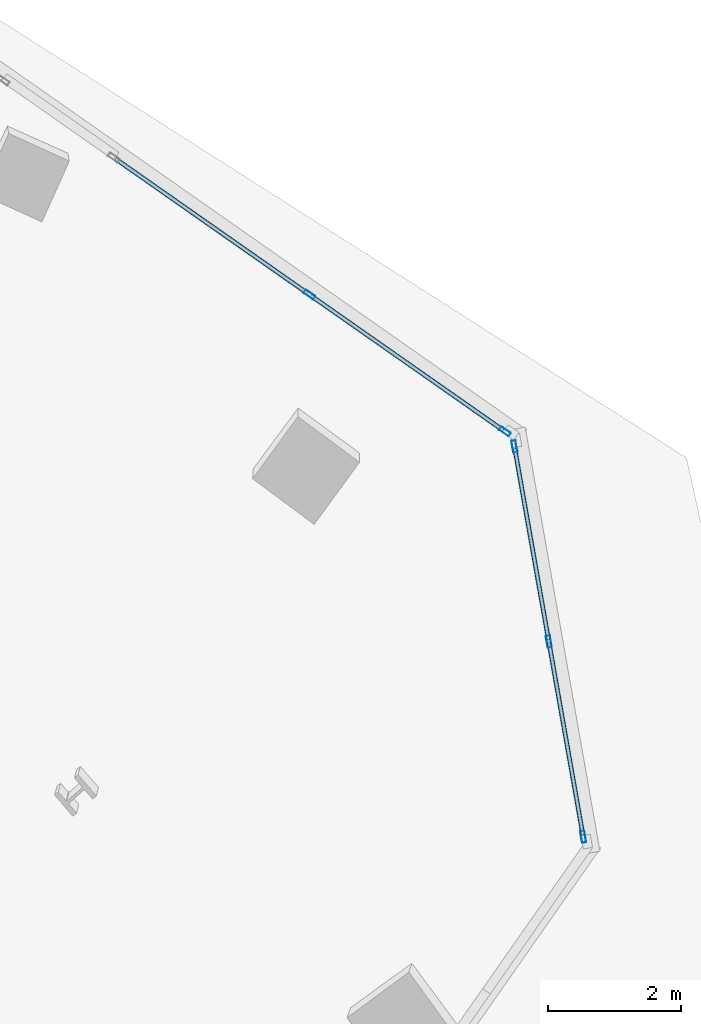
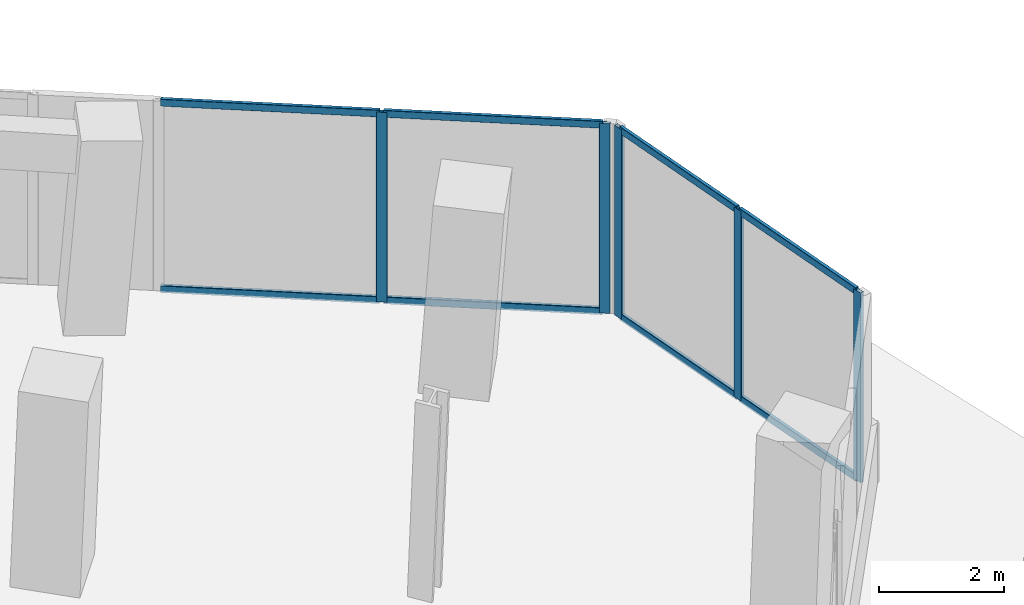
# One storey, part 12 of 22: 13 members, 2 elements without a shape of their own.
"""IFC4 building model written with IfcOpenShell, lengths in metres."""

from ifc_helpers import new_model, si_unit, direction, frame, origin, origin_2d, place, context, subcontext, project, spatial, hollow_rectangle, extrude, source, transform, mapped, material, material_profile, profile_set, type_object, element, aggregate, save


model = new_model("IFC4")

# Units and contexts
model_context = context("Model", 3, precision=1e-05, world=origin(), true_north=direction((0.0, 1.0)))
body_context = subcontext(model_context, "Body", "Model", "MODEL_VIEW")
ifc_project = project(units=[si_unit("LENGTHUNIT", "METRE"), si_unit("AREAUNIT", "SQUARE_METRE"), si_unit("VOLUMEUNIT", "CUBIC_METRE"), si_unit("PLANEANGLEUNIT", "RADIAN"), si_unit("MASSUNIT", "GRAM", prefix="KILO")], contexts=[model_context])

# Site, building, storey
site_placement = place(None, origin())
site = spatial("IfcSite", under=ifc_project, at=site_placement, CompositionType="ELEMENT")
building_placement = place(site_placement, origin())
building = spatial("IfcBuilding", under=site, at=building_placement, Name="Torre Montelarca", CompositionType="ELEMENT")
storey_placement = place(building_placement, frame((0.0, 0.0, 196.0)))
storey = spatial("IfcBuildingStorey", under=building, at=storey_placement, Name="L44", CompositionType="ELEMENT", Elevation=196.0)

# Curtain wall, members
ifc_material_1 = material(Name="Insulated low-E laminated glass", Category="glass")
curtain_wall_type = type_object("IfcCurtainWallType", Name="CW-SYS-Z2", PredefinedType="USERDEFINED", material=ifc_material_1)
curtain_wall_1_placement = place(storey_placement, origin())
curtain_wall_1 = element("IfcCurtainWall", 1, at=curtain_wall_1_placement, inside=storey, type_object=curtain_wall_type, Name="L44 Curtain Wall Run CW-T3-L44-E07-B1", ObjectType="UNITISED GLAZING", PredefinedType="USERDEFINED")
ifc_material_2 = material(Name="Anodised aluminium AA 6063-T6", Category="aluminium")
ifc_material_profile_1 = material_profile(ifc_material_2, hollow_rectangle(XDim=0.06494140625, YDim=0.139892578125, WallThickness=0.00390625, InnerFilletRadius=0.00390625, OuterFilletRadius=0.008056640625, at=origin_2d()), Name="ALU65X140X4", Category="aluminium")
ifc_profile_set_1 = profile_set([ifc_material_profile_1], Name="Anodised aluminium AA 6063-T6")
member_type_1 = type_object("IfcMemberType", Name="CWT-ALU140", PredefinedType="USERDEFINED", material=ifc_profile_set_1)
shared_shape_1 = source(origin(), body_context, "Body", "SweptSolid", [
    extrude(hollow_rectangle(XDim=0.06494140625, YDim=0.139892578125, WallThickness=0.00390625, InnerFilletRadius=0.00390625, OuterFilletRadius=0.008056640625, at=origin_2d()), origin(), (0.0, 0.0, 1.0), 2.91845703125),
])
member_1_placement = place(storey_placement, frame((50.4873046875, 26.072998046875, 0.032470703125), z_axis=(-0.173575360896, 0.984820589798, 0.0), x_axis=(-0.984820589798, -0.173575360896, 0.0)))
member_1 = element("IfcMember", 2, at=member_1_placement, type_object=member_type_1, Name="CW transom 1.1", ObjectType="TRANSOM", PredefinedType="USERDEFINED", context=body_context, shape_type="MappedRepresentation", body=[
    mapped(shared_shape_1, transform((0.0, 0.0, 0.0), scale=1.0)),
])
member_2_placement = place(storey_placement, frame((50.4873046875, 26.072998046875, 3.6875), z_axis=(-0.173575360896, 0.984820589798, 0.0), x_axis=(-0.984820589798, -0.173575360896, 0.0)))
member_2 = element("IfcMember", 3, at=member_2_placement, type_object=member_type_1, Name="CW transom 1.2", ObjectType="TRANSOM", PredefinedType="USERDEFINED", context=body_context, shape_type="MappedRepresentation", body=[
    mapped(shared_shape_1, transform((0.0, 0.0, 0.0), scale=1.0)),
])
member_3_placement = place(storey_placement, frame((49.96923828125, 29.01123046875, 0.032470703125), z_axis=(-0.173575360896, 0.984820589798, 0.0), x_axis=(-0.984820589798, -0.173575360896, 0.0)))
member_3 = element("IfcMember", 4, at=member_3_placement, type_object=member_type_1, Name="CW transom 2.1", ObjectType="TRANSOM", PredefinedType="USERDEFINED", context=body_context, shape_type="MappedRepresentation", body=[
    mapped(shared_shape_1, transform((0.0, 0.0, 0.0), scale=1.0)),
])
member_4_placement = place(storey_placement, frame((49.96923828125, 29.01123046875, 3.6875), z_axis=(-0.173575360896, 0.984820589798, 0.0), x_axis=(-0.984820589798, -0.173575360896, 0.0)))
member_4 = element("IfcMember", 5, at=member_4_placement, type_object=member_type_1, Name="CW transom 2.2", ObjectType="TRANSOM", PredefinedType="USERDEFINED", context=body_context, shape_type="MappedRepresentation", body=[
    mapped(shared_shape_1, transform((0.0, 0.0, 0.0), scale=1.0)),
])
ifc_material_profile_2 = material_profile(ifc_material_2, hollow_rectangle(XDim=0.06494140625, YDim=0.179931640625, WallThickness=0.00390625, InnerFilletRadius=0.00390625, OuterFilletRadius=0.008056640625, at=origin_2d()), Name="ALU65X180X4", Category="aluminium")
ifc_profile_set_2 = profile_set([ifc_material_profile_2], Name="Anodised aluminium AA 6063-T6")
member_type_2 = type_object("IfcMemberType", Name="CWM-ALU180", PredefinedType="MULLION", material=ifc_profile_set_2)
shared_shape_2 = source(origin(), body_context, "Body", "SweptSolid", [
    extrude(hollow_rectangle(XDim=0.06494140625, YDim=0.179931640625, WallThickness=0.00390625, InnerFilletRadius=0.00390625, OuterFilletRadius=0.008056640625, at=origin_2d()), origin(), (0.0, 0.0, 1.0), 3.719970703125),
])
member_5_placement = place(storey_placement, frame((50.4931640625, 26.041015625, 0.0), z_axis=(0.0, 0.0, 1.0), x_axis=(-0.984810249404, -0.173634019333, 0.0)))
member_5 = element("IfcMember", 6, at=member_5_placement, type_object=member_type_2, Name="CW mullion 1", PredefinedType="MULLION", context=body_context, shape_type="MappedRepresentation", body=[
    mapped(shared_shape_2, transform((0.0, 0.0, 0.0), scale=1.0)),
])
member_6_placement = place(storey_placement, frame((49.97509765625, 28.979248046875, 0.0), z_axis=(0.0, 0.0, 1.0), x_axis=(-0.984810249404, -0.173634019333, 0.0)))
member_6 = element("IfcMember", 7, at=member_6_placement, type_object=member_type_2, Name="CW mullion 2", PredefinedType="MULLION", context=body_context, shape_type="MappedRepresentation", body=[
    mapped(shared_shape_2, transform((0.0, 0.0, 0.0), scale=1.0)),
])
member_7_placement = place(storey_placement, frame((49.45703125, 31.91748046875, 0.0), z_axis=(0.0, 0.0, 1.0), x_axis=(-0.984810249404, -0.173634019333, 0.0)))
member_7 = element("IfcMember", 8, at=member_7_placement, type_object=member_type_2, Name="CW mullion 3", PredefinedType="MULLION", context=body_context, shape_type="MappedRepresentation", body=[
    mapped(shared_shape_2, transform((0.0, 0.0, 0.0), scale=1.0)),
])
aggregate(curtain_wall_1, [member_5, member_6, member_7, member_1, member_2, member_3, member_4])

curtain_wall_2_placement = place(storey_placement, origin())
curtain_wall_2 = element("IfcCurtainWall", 9, at=curtain_wall_2_placement, inside=storey, type_object=curtain_wall_type, Name="L44 Curtain Wall Run CW-T3-L44-E08-B1", ObjectType="UNITISED GLAZING", PredefinedType="USERDEFINED")
member_8_placement = place(storey_placement, frame((49.3134765625, 32.142822265625, 0.0), z_axis=(0.0, 0.0, 1.0), x_axis=(-0.573569662117, -0.819156787617, 0.0)))
member_8 = element("IfcMember", 10, at=member_8_placement, type_object=member_type_2, Name="CW mullion 1", PredefinedType="MULLION", context=body_context, shape_type="MappedRepresentation", body=[
    mapped(shared_shape_2, transform((0.0, 0.0, 0.0), scale=1.0)),
])
member_9_placement = place(storey_placement, frame((46.368896484375, 34.204345703125, 0.0), z_axis=(0.0, 0.0, 1.0), x_axis=(-0.573569662117, -0.819156787617, 0.0)))
member_9 = element("IfcMember", 11, at=member_9_placement, type_object=member_type_2, Name="CW mullion 2", PredefinedType="MULLION", context=body_context, shape_type="MappedRepresentation", body=[
    mapped(shared_shape_2, transform((0.0, 0.0, 0.0), scale=1.0)),
])
shared_shape_3 = source(origin(), body_context, "Body", "SweptSolid", [
    extrude(hollow_rectangle(XDim=0.06494140625, YDim=0.139892578125, WallThickness=0.00390625, InnerFilletRadius=0.00390625, OuterFilletRadius=0.008056640625, at=origin_2d()), origin(), (0.0, 0.0, 1.0), 3.529541015625),
])
member_10_placement = place(storey_placement, frame((49.286865234375, 32.161376953125, 0.032470703125), z_axis=(-0.819170174186, 0.573550543304, 0.0), x_axis=(-0.573550543304, -0.819170174186, 0.0)))
member_10 = element("IfcMember", 12, at=member_10_placement, type_object=member_type_1, Name="CW transom 1.1", ObjectType="TRANSOM", PredefinedType="USERDEFINED", context=body_context, shape_type="MappedRepresentation", body=[
    mapped(shared_shape_3, transform((0.0, 0.0, 0.0), scale=1.0)),
])
member_11_placement = place(storey_placement, frame((49.286865234375, 32.161376953125, 3.6875), z_axis=(-0.819170174186, 0.573550543304, 0.0), x_axis=(-0.573550543304, -0.819170174186, 0.0)))
member_11 = element("IfcMember", 13, at=member_11_placement, type_object=member_type_1, Name="CW transom 1.2", ObjectType="TRANSOM", PredefinedType="USERDEFINED", context=body_context, shape_type="MappedRepresentation", body=[
    mapped(shared_shape_3, transform((0.0, 0.0, 0.0), scale=1.0)),
])
shared_shape_4 = source(origin(), body_context, "Body", "SweptSolid", [
    extrude(hollow_rectangle(XDim=0.06494140625, YDim=0.139892578125, WallThickness=0.00390625, InnerFilletRadius=0.00390625, OuterFilletRadius=0.008056640625, at=origin_2d()), origin(), (0.0, 0.0, 1.0), 3.529296875),
])
member_12_placement = place(storey_placement, frame((46.34228515625, 34.22314453125, 0.032470703125), z_axis=(-0.819147418355, 0.573583042813, 0.0), x_axis=(-0.573583042813, -0.819147418355, 0.0)))
member_12 = element("IfcMember", 14, at=member_12_placement, type_object=member_type_1, Name="CW transom 2.1", ObjectType="TRANSOM", PredefinedType="USERDEFINED", context=body_context, shape_type="MappedRepresentation", body=[
    mapped(shared_shape_4, transform((0.0, 0.0, 0.0), scale=1.0)),
])
member_13_placement = place(storey_placement, frame((46.34228515625, 34.22314453125, 3.6875), z_axis=(-0.819147418355, 0.573583042813, 0.0), x_axis=(-0.573583042813, -0.819147418355, 0.0)))
member_13 = element("IfcMember", 15, at=member_13_placement, type_object=member_type_1, Name="CW transom 2.2", ObjectType="TRANSOM", PredefinedType="USERDEFINED", context=body_context, shape_type="MappedRepresentation", body=[
    mapped(shared_shape_4, transform((0.0, 0.0, 0.0), scale=1.0)),
])
aggregate(curtain_wall_2, [member_8, member_9, member_10, member_11, member_12, member_13])

save(model, "model.ifc")
